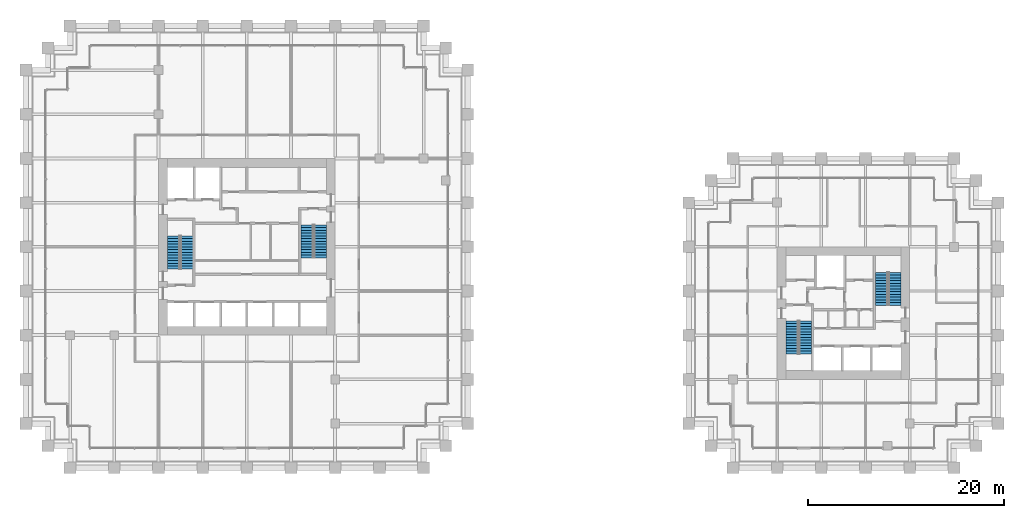
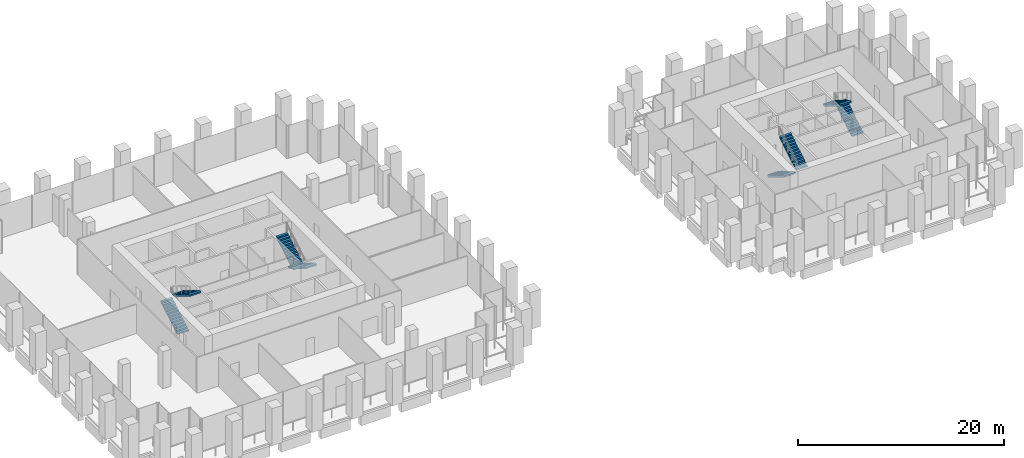
# One storey, part 34 of 36: 8 stair flights, 4 elements without a shape of their own.
"""IFC4 building model written with IfcOpenShell, lengths in metres."""

from ifc_helpers import new_model, si_unit, direction, frame, origin, place, context, subcontext, project, spatial, polyline, outline, extrude, material, type_object, element, aggregate, save


model = new_model("IFC4")

# Units and contexts
model_context = context("Model", 3, precision=1e-05, world=origin(), true_north=direction((0.0, 1.0)))
body_context = subcontext(model_context, "Body", "Model", "MODEL_VIEW")
ifc_project = project(units=[si_unit("LENGTHUNIT", "METRE"), si_unit("AREAUNIT", "SQUARE_METRE"), si_unit("VOLUMEUNIT", "CUBIC_METRE"), si_unit("PLANEANGLEUNIT", "RADIAN"), si_unit("MASSUNIT", "GRAM", prefix="KILO")], contexts=[model_context])

# Site, building, storey
site_placement = place(None, origin())
site = spatial("IfcSite", under=ifc_project, at=site_placement, CompositionType="ELEMENT")
building_placement = place(site_placement, origin())
building = spatial("IfcBuilding", under=site, at=building_placement, Name="Altepetl Exchange Towers", CompositionType="ELEMENT")
storey_placement = place(building_placement, frame((0.0, 0.0, 38.60009765625)))
storey = spatial("IfcBuildingStorey", under=building, at=storey_placement, Name="L08", CompositionType="ELEMENT", Elevation=38.60009765625)

# Stair, stair flights
ifc_material = material(Name="Concrete C40/50", Category="concrete")
stair_type = type_object("IfcStairType", Name="Exit stair 1250 flights dogleg", PredefinedType="HALF_TURN_STAIR", material=ifc_material)
stair_1_placement = place(storey_placement, origin())
stair_1 = element("IfcStair", 1, at=stair_1_placement, inside=storey, type_object=stair_type, Name="Exit stair 1", PredefinedType="HALF_TURN_STAIR")
stair_flight_type = type_object("IfcStairFlightType", Name="Stair flight 1250 wide", PredefinedType="STRAIGHT", material=ifc_material)
stair_flight_1_placement = place(storey_placement, frame((42.02490234375, 47.25, 0.0), z_axis=(0.0, 0.0, 1.0), x_axis=(0.0, 1.0, 0.0)))
stair_flight_1 = element("IfcStairFlight", 2, at=stair_flight_1_placement, type_object=stair_flight_type, Name="ST-A1b flight 1", NumberOfRisers=13, NumberOfTreads=12, PredefinedType="STRAIGHT", RiserHeight=0.169230769, TreadLength=0.28, context=body_context, shape_type="SweptSolid", body=[
    extrude(outline(polyline([(0.0, 0.0), (0.0, 0.169189453125), (0.280029296875, 0.169189453125), (0.280029296875, 0.33837890625), (0.56005859375, 0.33837890625), (0.56005859375, 0.5078125), (0.840087890625, 0.5078125), (0.840087890625, 0.677001953125), (1.1201171875, 0.677001953125), (1.1201171875, 0.84619140625), (1.39990234375, 0.84619140625), (1.39990234375, 1.015380859375), (1.679931640625, 1.015380859375), (1.679931640625, 1.1845703125), (1.9599609375, 1.1845703125), (1.9599609375, 1.353759765625), (2.239990234375, 1.353759765625), (2.239990234375, 1.523193359375), (2.52001953125, 1.523193359375), (2.52001953125, 1.6923828125), (2.800048828125, 1.6923828125), (2.800048828125, 1.861572265625), (3.080078125, 1.861572265625), (3.080078125, 2.03076171875), (3.360107421875, 2.03076171875), (3.360107421875, 2.199951171875), (3.360107421875, 1.855712890625), (0.289794921875, 0.0), (0.0, 0.0)])), frame((0.0, 0.625, 0.0), z_axis=(0.0, -1.0, 0.0), x_axis=(1.0, 0.0, 0.0)), (0.0, 0.0, 1.0), 1.25),
])
stair_flight_2_placement = place(storey_placement, frame((43.375, 50.610107421875, 2.199951171875), z_axis=(0.0, 0.0, 1.0), x_axis=(0.0, -1.0, 0.0)))
stair_flight_2 = element("IfcStairFlight", 3, at=stair_flight_2_placement, type_object=stair_flight_type, Name="ST-A1b flight 2", NumberOfRisers=13, NumberOfTreads=12, PredefinedType="STRAIGHT", RiserHeight=0.169230769, TreadLength=0.28, context=body_context, shape_type="SweptSolid", body=[
    extrude(outline(polyline([(0.0, 0.0), (0.0, 0.169189453125), (0.280029296875, 0.169189453125), (0.280029296875, 0.33837890625), (0.56005859375, 0.33837890625), (0.56005859375, 0.5078125), (0.840087890625, 0.5078125), (0.840087890625, 0.677001953125), (1.1201171875, 0.677001953125), (1.1201171875, 0.84619140625), (1.39990234375, 0.84619140625), (1.39990234375, 1.015380859375), (1.679931640625, 1.015380859375), (1.679931640625, 1.1845703125), (1.9599609375, 1.1845703125), (1.9599609375, 1.353759765625), (2.239990234375, 1.353759765625), (2.239990234375, 1.523193359375), (2.52001953125, 1.523193359375), (2.52001953125, 1.6923828125), (2.800048828125, 1.6923828125), (2.800048828125, 1.861572265625), (3.080078125, 1.861572265625), (3.080078125, 2.03076171875), (3.360107421875, 2.03076171875), (3.360107421875, 2.199951171875), (3.360107421875, 1.855712890625), (0.289794921875, 0.0), (0.0, 0.0)])), frame((0.0, 0.625, 0.0), z_axis=(0.0, -1.0, 0.0), x_axis=(1.0, 0.0, 0.0)), (0.0, 0.0, 1.0), 1.25),
])
aggregate(stair_1, [stair_flight_1, stair_flight_2])

stair_2_placement = place(storey_placement, origin())
stair_2 = element("IfcStair", 4, at=stair_2_placement, inside=storey, type_object=stair_type, Name="Exit stair 2", PredefinedType="HALF_TURN_STAIR")
stair_flight_3_placement = place(storey_placement, frame((56.97509765625, 51.75, 0.0), z_axis=(0.0, 0.0, 1.0), x_axis=(0.0, -1.0, 0.0)))
stair_flight_3 = element("IfcStairFlight", 5, at=stair_flight_3_placement, type_object=stair_flight_type, Name="ST-A2b flight 1", NumberOfRisers=13, NumberOfTreads=12, PredefinedType="STRAIGHT", RiserHeight=0.169230769, TreadLength=0.28, context=body_context, shape_type="SweptSolid", body=[
    extrude(outline(polyline([(0.0, 0.0), (0.0, 0.169189453125), (0.280029296875, 0.169189453125), (0.280029296875, 0.33837890625), (0.56005859375, 0.33837890625), (0.56005859375, 0.5078125), (0.840087890625, 0.5078125), (0.840087890625, 0.677001953125), (1.1201171875, 0.677001953125), (1.1201171875, 0.84619140625), (1.39990234375, 0.84619140625), (1.39990234375, 1.015380859375), (1.679931640625, 1.015380859375), (1.679931640625, 1.1845703125), (1.9599609375, 1.1845703125), (1.9599609375, 1.353759765625), (2.239990234375, 1.353759765625), (2.239990234375, 1.523193359375), (2.52001953125, 1.523193359375), (2.52001953125, 1.6923828125), (2.800048828125, 1.6923828125), (2.800048828125, 1.861572265625), (3.080078125, 1.861572265625), (3.080078125, 2.03076171875), (3.360107421875, 2.03076171875), (3.360107421875, 2.199951171875), (3.360107421875, 1.855712890625), (0.289794921875, 0.0), (0.0, 0.0)])), frame((0.0, 0.625, 0.0), z_axis=(0.0, -1.0, 0.0), x_axis=(1.0, 0.0, 0.0)), (0.0, 0.0, 1.0), 1.25),
])
stair_flight_4_placement = place(storey_placement, frame((55.625, 48.389892578125, 2.199951171875), z_axis=(0.0, 0.0, 1.0), x_axis=(0.0, 1.0, 0.0)))
stair_flight_4 = element("IfcStairFlight", 6, at=stair_flight_4_placement, type_object=stair_flight_type, Name="ST-A2b flight 2", NumberOfRisers=13, NumberOfTreads=12, PredefinedType="STRAIGHT", RiserHeight=0.169230769, TreadLength=0.28, context=body_context, shape_type="SweptSolid", body=[
    extrude(outline(polyline([(0.0, 0.0), (0.0, 0.169189453125), (0.280029296875, 0.169189453125), (0.280029296875, 0.33837890625), (0.56005859375, 0.33837890625), (0.56005859375, 0.5078125), (0.840087890625, 0.5078125), (0.840087890625, 0.677001953125), (1.1201171875, 0.677001953125), (1.1201171875, 0.84619140625), (1.39990234375, 0.84619140625), (1.39990234375, 1.015380859375), (1.679931640625, 1.015380859375), (1.679931640625, 1.1845703125), (1.9599609375, 1.1845703125), (1.9599609375, 1.353759765625), (2.239990234375, 1.353759765625), (2.239990234375, 1.523193359375), (2.52001953125, 1.523193359375), (2.52001953125, 1.6923828125), (2.800048828125, 1.6923828125), (2.800048828125, 1.861572265625), (3.080078125, 1.861572265625), (3.080078125, 2.03076171875), (3.360107421875, 2.03076171875), (3.360107421875, 2.199951171875), (3.360107421875, 1.855712890625), (0.289794921875, 0.0), (0.0, 0.0)])), frame((0.0, 0.625, 0.0), z_axis=(0.0, -1.0, 0.0), x_axis=(1.0, 0.0, 0.0)), (0.0, 0.0, 1.0), 1.25),
])
aggregate(stair_2, [stair_flight_3, stair_flight_4])

stair_3_placement = place(storey_placement, origin())
stair_3 = element("IfcStair", 7, at=stair_3_placement, inside=storey, type_object=stair_type, Name="Exit stair 1", PredefinedType="HALF_TURN_STAIR")
stair_flight_5_placement = place(storey_placement, frame((105.02490234375, 41.949951171875, 0.0), z_axis=(0.0, 0.0, 1.0), x_axis=(0.0, -1.0, 0.0)))
stair_flight_5 = element("IfcStairFlight", 8, at=stair_flight_5_placement, type_object=stair_flight_type, Name="ST-B1b flight 1", NumberOfRisers=13, NumberOfTreads=12, PredefinedType="STRAIGHT", RiserHeight=0.169230769, TreadLength=0.28, context=body_context, shape_type="SweptSolid", body=[
    extrude(outline(polyline([(0.0, 0.0), (0.0, 0.169189453125), (0.280029296875, 0.169189453125), (0.280029296875, 0.33837890625), (0.56005859375, 0.33837890625), (0.56005859375, 0.5078125), (0.840087890625, 0.5078125), (0.840087890625, 0.677001953125), (1.1201171875, 0.677001953125), (1.1201171875, 0.84619140625), (1.39990234375, 0.84619140625), (1.39990234375, 1.015380859375), (1.679931640625, 1.015380859375), (1.679931640625, 1.1845703125), (1.9599609375, 1.1845703125), (1.9599609375, 1.353759765625), (2.239990234375, 1.353759765625), (2.239990234375, 1.523193359375), (2.52001953125, 1.523193359375), (2.52001953125, 1.6923828125), (2.800048828125, 1.6923828125), (2.800048828125, 1.861572265625), (3.080078125, 1.861572265625), (3.080078125, 2.03076171875), (3.360107421875, 2.03076171875), (3.360107421875, 2.199951171875), (3.360107421875, 1.855712890625), (0.289794921875, 0.0), (0.0, 0.0)])), frame((0.0, 0.625, 0.0), z_axis=(0.0, -1.0, 0.0), x_axis=(1.0, 0.0, 0.0)), (0.0, 0.0, 1.0), 1.25),
])
stair_flight_6_placement = place(storey_placement, frame((106.375, 38.590087890625, 2.199951171875), z_axis=(0.0, 0.0, 1.0), x_axis=(0.0, 1.0, 0.0)))
stair_flight_6 = element("IfcStairFlight", 9, at=stair_flight_6_placement, type_object=stair_flight_type, Name="ST-B1b flight 2", NumberOfRisers=13, NumberOfTreads=12, PredefinedType="STRAIGHT", RiserHeight=0.169230769, TreadLength=0.28, context=body_context, shape_type="SweptSolid", body=[
    extrude(outline(polyline([(0.0, 0.0), (0.0, 0.169189453125), (0.280029296875, 0.169189453125), (0.280029296875, 0.33837890625), (0.56005859375, 0.33837890625), (0.56005859375, 0.5078125), (0.840087890625, 0.5078125), (0.840087890625, 0.677001953125), (1.1201171875, 0.677001953125), (1.1201171875, 0.84619140625), (1.39990234375, 0.84619140625), (1.39990234375, 1.015380859375), (1.679931640625, 1.015380859375), (1.679931640625, 1.1845703125), (1.9599609375, 1.1845703125), (1.9599609375, 1.353759765625), (2.239990234375, 1.353759765625), (2.239990234375, 1.523193359375), (2.52001953125, 1.523193359375), (2.52001953125, 1.6923828125), (2.800048828125, 1.6923828125), (2.800048828125, 1.861572265625), (3.080078125, 1.861572265625), (3.080078125, 2.03076171875), (3.360107421875, 2.03076171875), (3.360107421875, 2.199951171875), (3.360107421875, 1.855712890625), (0.289794921875, 0.0), (0.0, 0.0)])), frame((0.0, 0.625, 0.0), z_axis=(0.0, -1.0, 0.0), x_axis=(1.0, 0.0, 0.0)), (0.0, 0.0, 1.0), 1.25),
])
aggregate(stair_3, [stair_flight_5, stair_flight_6])

stair_4_placement = place(storey_placement, origin())
stair_4 = element("IfcStair", 10, at=stair_4_placement, inside=storey, type_object=stair_type, Name="Exit stair 2", PredefinedType="HALF_TURN_STAIR")
stair_flight_7_placement = place(storey_placement, frame((115.47509765625, 43.550048828125, 0.0), z_axis=(0.0, 0.0, 1.0), x_axis=(0.0, 1.0, 0.0)))
stair_flight_7 = element("IfcStairFlight", 11, at=stair_flight_7_placement, type_object=stair_flight_type, Name="ST-B2b flight 1", NumberOfRisers=13, NumberOfTreads=12, PredefinedType="STRAIGHT", RiserHeight=0.169230769, TreadLength=0.28, context=body_context, shape_type="SweptSolid", body=[
    extrude(outline(polyline([(0.0, 0.0), (0.0, 0.169189453125), (0.280029296875, 0.169189453125), (0.280029296875, 0.33837890625), (0.56005859375, 0.33837890625), (0.56005859375, 0.5078125), (0.840087890625, 0.5078125), (0.840087890625, 0.677001953125), (1.1201171875, 0.677001953125), (1.1201171875, 0.84619140625), (1.39990234375, 0.84619140625), (1.39990234375, 1.015380859375), (1.679931640625, 1.015380859375), (1.679931640625, 1.1845703125), (1.9599609375, 1.1845703125), (1.9599609375, 1.353759765625), (2.239990234375, 1.353759765625), (2.239990234375, 1.523193359375), (2.52001953125, 1.523193359375), (2.52001953125, 1.6923828125), (2.800048828125, 1.6923828125), (2.800048828125, 1.861572265625), (3.080078125, 1.861572265625), (3.080078125, 2.03076171875), (3.360107421875, 2.03076171875), (3.360107421875, 2.199951171875), (3.360107421875, 1.855712890625), (0.289794921875, 0.0), (0.0, 0.0)])), frame((0.0, 0.625, 0.0), z_axis=(0.0, -1.0, 0.0), x_axis=(1.0, 0.0, 0.0)), (0.0, 0.0, 1.0), 1.25),
])
stair_flight_8_placement = place(storey_placement, frame((114.125, 46.909912109375, 2.199951171875), z_axis=(0.0, 0.0, 1.0), x_axis=(0.0, -1.0, 0.0)))
stair_flight_8 = element("IfcStairFlight", 12, at=stair_flight_8_placement, type_object=stair_flight_type, Name="ST-B2b flight 2", NumberOfRisers=13, NumberOfTreads=12, PredefinedType="STRAIGHT", RiserHeight=0.169230769, TreadLength=0.28, context=body_context, shape_type="SweptSolid", body=[
    extrude(outline(polyline([(0.0, 0.0), (0.0, 0.169189453125), (0.280029296875, 0.169189453125), (0.280029296875, 0.33837890625), (0.56005859375, 0.33837890625), (0.56005859375, 0.5078125), (0.840087890625, 0.5078125), (0.840087890625, 0.677001953125), (1.1201171875, 0.677001953125), (1.1201171875, 0.84619140625), (1.39990234375, 0.84619140625), (1.39990234375, 1.015380859375), (1.679931640625, 1.015380859375), (1.679931640625, 1.1845703125), (1.9599609375, 1.1845703125), (1.9599609375, 1.353759765625), (2.239990234375, 1.353759765625), (2.239990234375, 1.523193359375), (2.52001953125, 1.523193359375), (2.52001953125, 1.6923828125), (2.800048828125, 1.6923828125), (2.800048828125, 1.861572265625), (3.080078125, 1.861572265625), (3.080078125, 2.03076171875), (3.360107421875, 2.03076171875), (3.360107421875, 2.199951171875), (3.360107421875, 1.855712890625), (0.289794921875, 0.0), (0.0, 0.0)])), frame((0.0, 0.625, 0.0), z_axis=(0.0, -1.0, 0.0), x_axis=(1.0, 0.0, 0.0)), (0.0, 0.0, 1.0), 1.25),
])
aggregate(stair_4, [stair_flight_7, stair_flight_8])

save(model, "model.ifc")
